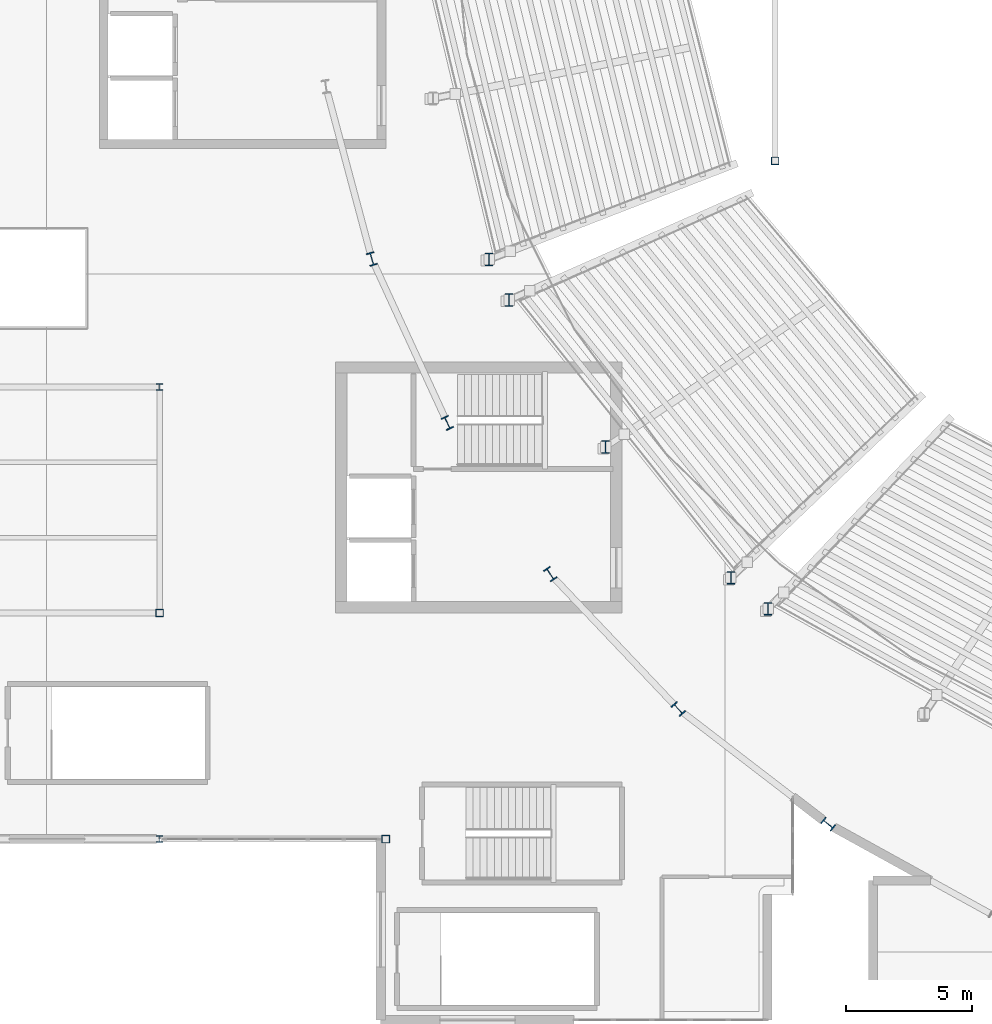
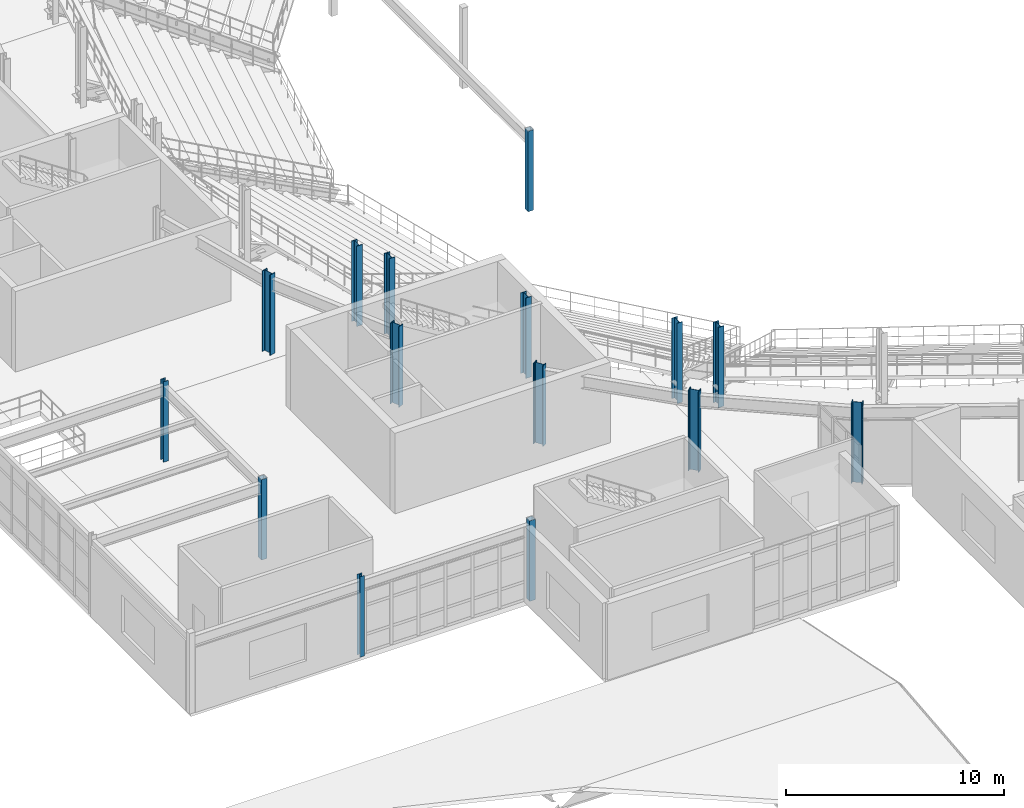
# One storey, part 4 of 81: 15 columns.
"""IFC4 building model written with IfcOpenShell, lengths in metres."""

from ifc_helpers import new_model, si_unit, direction, frame, origin, origin_2d, place, context, subcontext, project, spatial, hollow_rectangle, i_section, extrude, material, material_profile, profile_set, type_object, element, save


model = new_model("IFC4")

# Units and contexts
model_context = context("Model", 3, precision=1e-05, world=origin(), true_north=direction((0.0, 1.0)))
body_context = subcontext(model_context, "Body", "Model", "MODEL_VIEW")
ifc_project = project(units=[si_unit("LENGTHUNIT", "METRE"), si_unit("AREAUNIT", "SQUARE_METRE"), si_unit("VOLUMEUNIT", "CUBIC_METRE"), si_unit("PLANEANGLEUNIT", "RADIAN"), si_unit("MASSUNIT", "GRAM", prefix="KILO")], contexts=[model_context])

# Site, building, storey
site_placement = place(None, origin())
site = spatial("IfcSite", under=ifc_project, at=site_placement, CompositionType="ELEMENT")
building_placement = place(site_placement, origin())
building = spatial("IfcBuilding", under=site, at=building_placement, Name="Glasvene Arena", CompositionType="ELEMENT")
storey_placement = place(building_placement, frame((0.0, 0.0, 15.0)))
storey = spatial("IfcBuildingStorey", under=building, at=storey_placement, Name="L03", CompositionType="ELEMENT", Elevation=15.0)

# Columns
ifc_material = material(Name="Steel S355J2", Category="steel")
ifc_material_profile_1 = material_profile(ifc_material, i_section(OverallWidth=0.305908203125, OverallDepth=0.52392578125, WebThickness=0.02099609375, FlangeThickness=0.0400390625, FilletRadius=0.027099609375, at=origin_2d()), Name="HEM 500")
ifc_profile_set_1 = profile_set([ifc_material_profile_1], Name="Steel S355J2")
column_type_1 = type_object("IfcColumnType", Name="COL-RING-HEM500", PredefinedType="COLUMN", material=ifc_profile_set_1)
for number, where, z_axis, x_axis, name in (
    (1, (44.447265625, 59.09423828125, 0.0), (0.0, 0.0, 1.0), (-0.959805291975, -0.280666708921, 0.0), "Bowl ring column R23 L03"),
    (2, (47.44970703125, 52.5703125, 0.0), (0.0, 0.0, 1.0), (-0.909018020308, -0.416756810089, 0.0), "Bowl ring column R24 L03"),
    (3, (51.54931640625, 46.5498046875, 0.0), (0.0, 0.0, 1.0), (-0.836955398099, -0.547271104292, 0.0), "Bowl ring column R25 L03"),
    (4, (56.644775390625, 41.18017578125, 0.0), (0.0, 0.0, 1.0), (-0.74326159948, -0.669000892928, 0.0), "Bowl ring column R26 L03"),
    (5, (62.610595703125, 36.59423828125, 0.0), (0.0, 0.0, 1.0), (-0.628098877137, -0.778133536444, 0.0), "Bowl ring column R27 L03"),
):
    element("IfcColumn", number, at=place(storey_placement, frame(where, z_axis=z_axis, x_axis=x_axis)), inside=storey, type_object=column_type_1, Name=name, PredefinedType="COLUMN", context=body_context, shape_type="SweptSolid", body=[
        extrude(i_section(OverallWidth=0.305908203125, OverallDepth=0.52392578125, WebThickness=0.02099609375, FlangeThickness=0.0400390625, FilletRadius=0.027099609375, at=origin_2d()), origin(), (0.0, 0.0, 1.0), 4.5),
    ])
ifc_material_profile_2 = material_profile(ifc_material, i_section(OverallWidth=0.300048828125, OverallDepth=0.5, WebThickness=0.014404296875, FlangeThickness=0.028076171875, FilletRadius=0.027099609375, at=origin_2d()), Name="HEB 500")
ifc_profile_set_2 = profile_set([ifc_material_profile_2], Name="Steel S355J2")
column_type_2 = type_object("IfcColumnType", Name="COL-W-HEB500", PredefinedType="COLUMN", material=ifc_profile_set_2)
for number, where, z_axis, x_axis, name in (
    (6, (49.113037109375, 59.077392578125, 0.0), (0.0, 0.0, 1.0), (1.0, 0.0, 0.0), "Upper raker rear column L03 09-2"),
    (7, (49.911865234375, 57.46337890625, 0.0), (0.0, 0.0, 1.0), (1.0, 0.0, 0.0), "Upper raker rear column L03 10-1"),
    (8, (58.743408203125, 46.40087890625, 0.0), (0.0, 0.0, 1.0), (1.0, 0.0, 0.0), "Upper raker rear column L03 10-2"),
    (9, (60.219482421875, 45.165771484375, 0.0), (0.0, 0.0, 1.0), (1.0, 0.0, 0.0), "Upper raker rear column L03 11-1"),
    (10, (53.75244140625, 51.610595703125, 0.0), (0.0, 0.0, 1.0), (1.0, 0.0, 0.0), "Mid-sector rear raker column L03 10"),
):
    element("IfcColumn", number, at=place(storey_placement, frame(where, z_axis=z_axis, x_axis=x_axis)), inside=storey, type_object=column_type_2, Name=name, PredefinedType="COLUMN", context=body_context, shape_type="SweptSolid", body=[
        extrude(i_section(OverallWidth=0.300048828125, OverallDepth=0.5, WebThickness=0.014404296875, FlangeThickness=0.028076171875, FilletRadius=0.027099609375, at=origin_2d()), origin(), (0.0, 0.0, 1.0), 4.5),
    ])
ifc_material_profile_3 = material_profile(ifc_material, hollow_rectangle(XDim=0.300048828125, YDim=0.300048828125, WallThickness=0.012451171875, at=origin_2d()), Name="SHS 300x300x12.5")
ifc_profile_set_3 = profile_set([ifc_material_profile_3], Name="Steel S355J2")
column_type_3 = type_object("IfcColumnType", Name="COL-W-SHS300", PredefinedType="COLUMN", material=ifc_profile_set_3)
for number, where, z_axis, x_axis, name in (
    (11, (36.0, 45.0, 0.0), (0.0, 0.0, 1.0), (1.0, 0.0, 0.0), "Grid column 5-6 L03"),
    (12, (45.0, 36.0, 0.0), (0.0, 0.0, 1.0), (1.0, 0.0, 0.0), "Grid column 6-5 L03"),
    (13, (60.5, 63.0, 0.0), (0.0, 0.0, 1.0), (1.0, 0.0, 0.0), "Sector 3-3 support column L03-1"),
):
    element("IfcColumn", number, at=place(storey_placement, frame(where, z_axis=z_axis, x_axis=x_axis)), inside=storey, type_object=column_type_3, Name=name, PredefinedType="COLUMN", context=body_context, shape_type="SweptSolid", body=[
        extrude(hollow_rectangle(XDim=0.300048828125, YDim=0.300048828125, WallThickness=0.012451171875, at=origin_2d()), origin(), (0.0, 0.0, 1.0), 4.5),
    ])
ifc_material_profile_4 = material_profile(ifc_material, i_section(OverallWidth=0.25634765625, OverallDepth=0.26025390625, WebThickness=0.01025390625, FlangeThickness=0.017333984375, FilletRadius=0.0126953125, at=origin_2d()), Name="UKC 254x254x89")
ifc_profile_set_4 = profile_set([ifc_material_profile_4], Name="Steel S355J2")
column_type_4 = type_object("IfcColumnType", Name="COL-W-UKC89", PredefinedType="COLUMN", material=ifc_profile_set_4)
for number, where, z_axis, x_axis, name in (
    (14, (36.0, 36.0, 0.0), (0.0, 0.0, 1.0), (1.0, 0.0, 0.0), "Grid column 5-5 L03"),
    (15, (36.0, 54.0, 0.0), (0.0, 0.0, 1.0), (1.0, 0.0, 0.0), "Grid column 5-7 L03"),
):
    element("IfcColumn", number, at=place(storey_placement, frame(where, z_axis=z_axis, x_axis=x_axis)), inside=storey, type_object=column_type_4, Name=name, PredefinedType="COLUMN", context=body_context, shape_type="SweptSolid", body=[
        extrude(i_section(OverallWidth=0.25634765625, OverallDepth=0.26025390625, WebThickness=0.01025390625, FlangeThickness=0.017333984375, FilletRadius=0.0126953125, at=origin_2d()), origin(), (0.0, 0.0, 1.0), 4.5),
    ])

save(model, "model.ifc")
